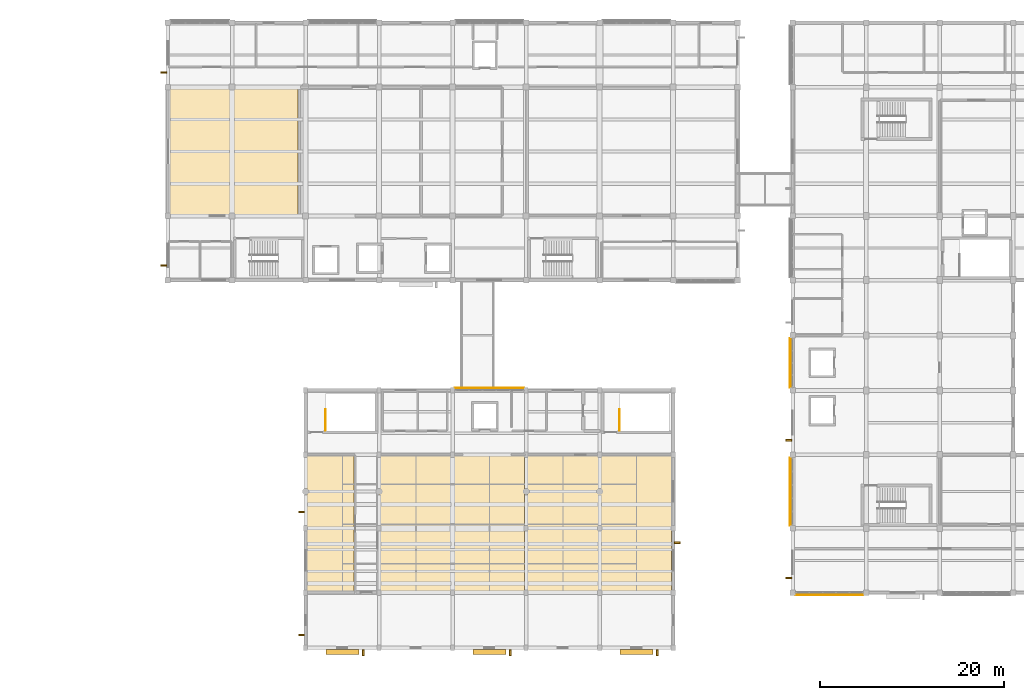
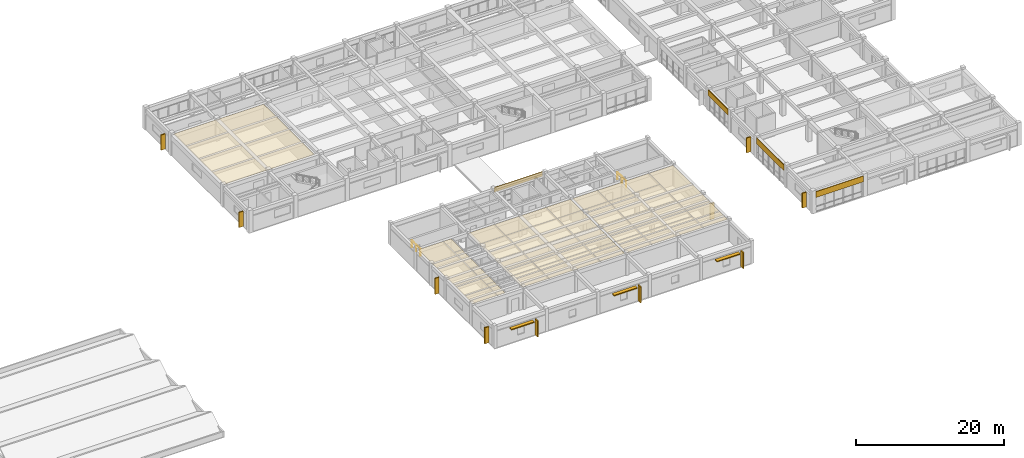
# One storey, part 30 of 33: 13 shading devices, 8 coverings, 2 railings.
"""IFC4 building model written with IfcOpenShell, lengths in metres."""

import ifcopenshell
import ifcopenshell.guid

model = None  # the IFC model being written
_history = None  # IfcOwnerHistory: only IFC2X3 demands one
_inside = {}  # id of a spatial element -> (the spatial element, [elements in it])
_under = {}  # id of a project, library or spatial element -> (it, [spatial elements below it])
_declared = {}  # id of a project -> (the project, [libraries it declares])
_typed = {}  # id of a type object -> (the type object, [elements of that type])
_made_of = {}  # id of a material, layer set ... -> (it, [elements and type objects made of it])


def new_model(schema):
    """Start an empty IFC model of exactly this schema.

    Asked for "IFC4X3", IfcOpenShell would pick the latest addendum, in which some entities
    have other attributes; the version numbers below select the first issue.
    IFC2X3 requires an IfcOwnerHistory on every rooted entity: one is made here for all.
    """
    global model, _history
    if schema == "IFC4X3":
        model = ifcopenshell.file(schema_version=(4, 3, 0, 0))
    else:
        model = ifcopenshell.file(schema=schema)
    _inside.clear()
    _under.clear()
    _declared.clear()
    _typed.clear()
    _made_of.clear()
    _history = None
    if model.schema == "IFC2X3":
        org = make("IfcOrganization", Name="unknown")
        user = make(
            "IfcPersonAndOrganization",
            ThePerson=make("IfcPerson", FamilyName="unknown"),
            TheOrganization=org,
        )
        app = make(
            "IfcApplication",
            ApplicationDeveloper=org,
            Version="unknown",
            ApplicationFullName="unknown",
            ApplicationIdentifier="unknown",
        )
        _history = make(
            "IfcOwnerHistory",
            OwningUser=user,
            OwningApplication=app,
            ChangeAction="ADDED",
            CreationDate=0,
        )
    return model


def make(cls, **values):
    """One entity of the class cls with the attributes given. An attribute that is None is left unset."""
    return model.create_entity(
        cls, **{name: value for name, value in values.items() if value is not None}
    )


def rooted(cls, **values):
    """An entity with a GlobalId (a new one), such as an element, a storey or a relation."""
    return make(cls, GlobalId=ifcopenshell.guid.new(), OwnerHistory=_history, **values)


def si_unit(unit_type, name, prefix=None):
    """IfcSIUnit, for example si_unit("LENGTHUNIT", "METRE", prefix="MILLI")."""
    return make("IfcSIUnit", UnitType=unit_type, Prefix=prefix, Name=name)


def assignment(units):
    """IfcUnitAssignment: the units of a project."""
    return None if units is None else make("IfcUnitAssignment", Units=units)


def point(xyz):
    """IfcCartesianPoint."""
    return None if xyz is None else make("IfcCartesianPoint", Coordinates=xyz)


def direction(xyz):
    """IfcDirection."""
    return None if xyz is None else make("IfcDirection", DirectionRatios=xyz)


def frame(location, z_axis=None, x_axis=None):
    """IfcAxis2Placement3D, a coordinate frame: its origin and axes. An axis left out is left unset."""
    return make(
        "IfcAxis2Placement3D",
        Location=point(location),
        Axis=direction(z_axis),
        RefDirection=direction(x_axis),
    )


def frame_2d(location, x_axis=None):
    """IfcAxis2Placement2D, a coordinate frame in the plane: its origin and x axis."""
    return make(
        "IfcAxis2Placement2D", Location=point(location), RefDirection=direction(x_axis)
    )


def origin():
    """The frame at (0, 0, 0) with its axes left unset."""
    return frame((0.0, 0.0, 0.0))


def origin_2d():
    """The frame at (0, 0) in the plane with its x axis left unset."""
    return frame_2d((0.0, 0.0))


def place(relative_to, where):
    """IfcLocalPlacement: puts the frame where relative to a parent placement (None: the world)."""
    return make(
        "IfcLocalPlacement", PlacementRelTo=relative_to, RelativePlacement=where
    )


def context(
    kind, dimensions, precision=None, world=None, true_north=None, identifier=None
):
    """IfcGeometricRepresentationContext, for example the 3D "Model" context."""
    return make(
        "IfcGeometricRepresentationContext",
        ContextIdentifier=identifier,
        ContextType=kind,
        CoordinateSpaceDimension=dimensions,
        Precision=precision,
        WorldCoordinateSystem=world,
        TrueNorth=true_north,
    )


def subcontext(parent, identifier, kind, view, scale=None):
    """IfcGeometricRepresentationSubContext, for example "Body" below "Model"."""
    return make(
        "IfcGeometricRepresentationSubContext",
        ContextIdentifier=identifier,
        ContextType=kind,
        ParentContext=parent,
        TargetScale=scale,
        TargetView=view,
    )


def project(units=None, contexts=None):
    """IfcProject with its units and contexts."""
    return rooted(
        "IfcProject",
        Name="project",
        RepresentationContexts=contexts,
        UnitsInContext=assignment(units),
    )


def spatial(cls, under=None, at=None, **own):
    """A site, building, storey or space (cls), placed at a placement, below another one or the project."""
    s = rooted(cls, ObjectPlacement=at, **own)
    if under is not None:
        _under.setdefault(under.id(), (under, []))[1].append(s)
    return s


def polyline(points):
    """IfcPolyline through the points."""
    return make("IfcPolyline", Points=[point(p) for p in points])


def profile(cls, at=None, kind="AREA", **sizes):
    """A parametric profile (cls). Its sizes go by their IFC names, for example OverallWidth=200.0."""
    return make(cls, ProfileType=kind, Position=at, **sizes)


def rectangle(**sizes):
    """IfcRectangleProfileDef."""
    return profile("IfcRectangleProfileDef", **sizes)


def circle(**sizes):
    """IfcCircleProfileDef."""
    return profile("IfcCircleProfileDef", **sizes)


def outline(outer, holes=None, kind="AREA"):
    """IfcArbitraryClosedProfileDef: a profile drawn as a closed curve; with holes, ...WithVoids."""
    if holes is None:
        return make("IfcArbitraryClosedProfileDef", ProfileType=kind, OuterCurve=outer)
    return make(
        "IfcArbitraryProfileDefWithVoids",
        ProfileType=kind,
        OuterCurve=outer,
        InnerCurves=holes,
    )


def extrude(swept, where, along, depth):
    """IfcExtrudedAreaSolid: the profile swept, set in the frame where, extruded along a direction by depth."""
    return make(
        "IfcExtrudedAreaSolid",
        SweptArea=swept,
        Position=where,
        ExtrudedDirection=direction(along),
        Depth=depth,
    )


def shape(context_of_items, identifier, shape_type, items):
    """IfcShapeRepresentation: the items that make up one representation, for example the "Body"."""
    return make(
        "IfcShapeRepresentation",
        ContextOfItems=context_of_items,
        RepresentationIdentifier=identifier,
        RepresentationType=shape_type,
        Items=items,
    )


def material(Name=None, Category=None):
    """IfcMaterial."""
    return make("IfcMaterial", Name=Name, Category=Category)


def layer(
    of_material, thickness, ventilated=None, Name=None, Category=None, Priority=None
):
    """IfcMaterialLayer: one layer of a wall or slab, of a material (None: an air gap)."""
    return make(
        "IfcMaterialLayer",
        Material=of_material,
        LayerThickness=thickness,
        IsVentilated=ventilated,
        Name=Name,
        Category=Category,
        Priority=Priority,
    )


def layer_set(layers, Name=None):
    """IfcMaterialLayerSet."""
    return make("IfcMaterialLayerSet", MaterialLayers=layers, LayerSetName=Name)


def made_of(thing, what):
    """Note that an element or type object is made of a material, layer set ...; save() writes the relation."""
    if what is not None:
        _made_of.setdefault(what.id(), (what, []))[1].append(thing)
    return thing


def type_object(cls, material=None, **own):
    """A type object (cls), such as IfcWallType, which elements share."""
    return made_of(rooted(cls, **own), material)


def element(
    cls,
    number,
    at=None,
    inside=None,
    cuts=None,
    type_object=None,
    material=None,
    context=None,
    identifier="Body",
    shape_type=None,
    held_by="IfcProductDefinitionShape",
    body=None,
    shapes=None,
    **own,
):
    """One element of the class cls, such as IfcWall. Its Tag is "e" and its number.

    at: its placement. inside: the storey or other place that contains it. cuts: it is an
    opening in that element (IfcRelVoidsElement). A single representation is given by context,
    identifier, shape_type and body (its items); several are given by shapes. held_by: the class
    of the entity that holds the representations. save() writes the other relations.
    """
    e = rooted(cls, Tag="e%d" % number, ObjectPlacement=at, **own)
    if body is not None:
        shapes = [shape(context, identifier, shape_type, body)]
    if shapes is not None:
        e.Representation = make(held_by, Representations=shapes)
    if inside is not None:
        _inside.setdefault(inside.id(), (inside, []))[1].append(e)
    if cuts is not None:
        rooted(
            "IfcRelVoidsElement", RelatingBuildingElement=cuts, RelatedOpeningElement=e
        )
    if type_object is not None:
        _typed.setdefault(type_object.id(), (type_object, []))[1].append(e)
    return made_of(e, material)


def aggregate(whole, parts):
    """IfcRelAggregates: a whole, such as a stair, and the parts it consists of."""
    return rooted("IfcRelAggregates", RelatingObject=whole, RelatedObjects=parts)


def save(model, path):
    """Write the relations noted so far, then the file.

    IfcRelAggregates (storeys below a building ...), IfcRelContainedInSpatialStructure (elements
    in a storey), IfcRelDefinesByType, IfcRelAssociatesMaterial and IfcRelDeclares: one each for
    every whole, place, type object, material and project.
    """
    for whole, parts in _under.values():
        aggregate(whole, parts)
    for where, things in _inside.values():
        rooted(
            "IfcRelContainedInSpatialStructure",
            RelatedElements=things,
            RelatingStructure=where,
        )
    for kind, things in _typed.values():
        rooted("IfcRelDefinesByType", RelatedObjects=things, RelatingType=kind)
    for what, things in _made_of.values():
        rooted("IfcRelAssociatesMaterial", RelatedObjects=things, RelatingMaterial=what)
    for by, libraries in _declared.values():
        rooted("IfcRelDeclares", RelatingContext=by, RelatedDefinitions=libraries)
    model.write(path)


model = new_model("IFC4")

# Units and contexts
model_context = context("Model", 3, precision=1e-05, world=origin(), true_north=direction((0.0, 1.0)))
body_context = subcontext(model_context, "Body", "Model", "MODEL_VIEW")
ifc_project = project(units=[si_unit("LENGTHUNIT", "METRE"), si_unit("AREAUNIT", "SQUARE_METRE"), si_unit("VOLUMEUNIT", "CUBIC_METRE"), si_unit("PLANEANGLEUNIT", "RADIAN"), si_unit("MASSUNIT", "GRAM", prefix="KILO")], contexts=[model_context])

# Site, building, storey
site_placement = place(None, origin())
site = spatial("IfcSite", under=ifc_project, at=site_placement, CompositionType="ELEMENT")
building_placement = place(site_placement, origin())
building = spatial("IfcBuilding", under=site, at=building_placement, Name="Naurynzar Civic Courthouse", CompositionType="ELEMENT")
storey_placement = place(building_placement, frame((0.0, 0.0, 22.050048828125)))
storey = spatial("IfcBuildingStorey", under=building, at=storey_placement, Name="L06", CompositionType="ELEMENT", Elevation=22.050048828125)

# Coverings
ifc_material_1 = material(Name="Acoustic Oak Timber Grade A", Category="wood")
ifc_layer_1 = layer(ifc_material_1, 0.044921875)
ifc_layer_set_1 = layer_set([ifc_layer_1], Name="CEIL-ACOUSTIC-OAK-45")
covering_type_1 = type_object("IfcCoveringType", Name="CEIL-ACOUSTIC-OAK-45", PredefinedType="CEILING", material=ifc_layer_set_1)
covering_1_placement = place(storey_placement, frame((0.0, 0.0, 3.364990234375)))
element("IfcCovering", 1, at=covering_1_placement, inside=storey, type_object=covering_type_1, Name="Acoustic suspended ceiling Tax and Customs Courtroom 6A", PredefinedType="CEILING", context=body_context, shape_type="SweptSolid", body=[
    extrude(outline(polyline([(76.178955078125, 51.159912109375), (62.159912109375, 51.159912109375), (62.159912109375, 64.840087890625), (76.178955078125, 64.840087890625), (76.178955078125, 51.159912109375)])), origin(), (0.0, 0.0, 1.0), 0.044921875),
])
ifc_material_2 = material(Name="Mineral Fibre Acoustic Ceiling")
ifc_layer_2 = layer(ifc_material_2, 0.030029296875)
ifc_layer_set_2 = layer_set([ifc_layer_2], Name="CEIL-MINERAL-30")
covering_type_2 = type_object("IfcCoveringType", Name="CEIL-MINERAL-30", PredefinedType="CEILING", material=ifc_layer_set_2)
covering_2_placement = place(storey_placement, frame((0.0, 0.0, 3.3349609375)))
element("IfcCovering", 2, at=covering_2_placement, inside=storey, type_object=covering_type_2, Name="Acoustic suspended ceiling Law Library Reading Room West L06", PredefinedType="CEILING", context=body_context, shape_type="SweptSolid", body=[
    extrude(outline(polyline([(82.239990234375, 10.159912109375), (77.159912109375, 10.159912109375), (77.159912109375, 24.840087890625), (82.239990234375, 24.840087890625), (82.239990234375, 10.159912109375)])), origin(), (0.0, 0.0, 1.0), 0.030029296875),
])
covering_3_placement = place(storey_placement, frame((0.0, 0.0, 3.3349609375)))
element("IfcCovering", 3, at=covering_3_placement, inside=storey, type_object=covering_type_2, Name="Acoustic suspended ceiling Law Library Reading Room L06", PredefinedType="CEILING", context=body_context, shape_type="SweptSolid", body=[
    extrude(outline(polyline([(100.840087890625, 10.159912109375), (84.9599609375, 10.159912109375), (84.9599609375, 24.840087890625), (100.840087890625, 24.840087890625), (100.840087890625, 10.159912109375)])), origin(), (0.0, 0.0, 1.0), 0.030029296875),
])
covering_4_placement = place(storey_placement, frame((0.0, 0.0, 3.3349609375)))
element("IfcCovering", 4, at=covering_4_placement, inside=storey, type_object=covering_type_2, Name="Acoustic suspended ceiling Legal Scholars Seminar Room L06", PredefinedType="CEILING", context=body_context, shape_type="SweptSolid", body=[
    extrude(outline(polyline([(116.840087890625, 10.159912109375), (101.159912109375, 10.159912109375), (101.159912109375, 24.840087890625), (116.840087890625, 24.840087890625), (116.840087890625, 10.159912109375)])), origin(), (0.0, 0.0, 1.0), 0.030029296875),
])
ifc_material_3 = material(Name="Precast concrete C40/50", Category="concrete")
ifc_layer_3 = layer(ifc_material_3, 0.080078125)
ifc_layer_set_3 = layer_set([ifc_layer_3], Name="COV-CLAD-PRECAST-80")
covering_type_3 = type_object("IfcCoveringType", Name="COV-CLAD-PRECAST-80", PredefinedType="CLADDING", material=ifc_layer_set_3)
covering_5_placement = place(storey_placement, frame((97.0, 32.2548828125, 2.7099609375), z_axis=(0.0, 0.0, 1.0), x_axis=(1.0, 0.0, 0.0)))
element("IfcCovering", 5, at=covering_5_placement, inside=storey, type_object=covering_type_3, Name="V3 precast spandrel cladding 73", PredefinedType="CLADDING", context=body_context, shape_type="SweptSolid", body=[
    extrude(rectangle(XDim=7.550048828125, YDim=0.080078125, at=origin_2d()), origin(), (0.0, 0.0, 1.0), 0.760009765625),
])
covering_6_placement = place(storey_placement, frame((129.7451171875, 21.0, 2.510009765625), z_axis=(0.0, 0.0, 1.0), x_axis=(0.0, 1.0, 0.0)))
element("IfcCovering", 6, at=covering_6_placement, inside=storey, type_object=covering_type_3, Name="V5 precast spandrel cladding 106", PredefinedType="CLADDING", context=body_context, shape_type="SweptSolid", body=[
    extrude(rectangle(XDim=7.39990234375, YDim=0.080078125, at=origin_2d()), origin(), (0.0, 0.0, 1.0), 0.9599609375),
])
covering_7_placement = place(storey_placement, frame((129.7451171875, 35.0, 2.510009765625), z_axis=(0.0, 0.0, 1.0), x_axis=(0.0, 1.0, 0.0)))
element("IfcCovering", 7, at=covering_7_placement, inside=storey, type_object=covering_type_3, Name="V5 precast spandrel cladding 107", PredefinedType="CLADDING", context=body_context, shape_type="SweptSolid", body=[
    extrude(rectangle(XDim=5.39990234375, YDim=0.080078125, at=origin_2d()), origin(), (0.0, 0.0, 1.0), 0.9599609375),
])
covering_8_placement = place(storey_placement, frame((134.0, 9.7451171875, 2.510009765625), z_axis=(0.0, 0.0, 1.0), x_axis=(-1.0, 0.0, 0.0)))
element("IfcCovering", 8, at=covering_8_placement, inside=storey, type_object=covering_type_3, Name="V5 precast spandrel cladding 111", PredefinedType="CLADDING", context=body_context, shape_type="SweptSolid", body=[
    extrude(rectangle(XDim=7.39990234375, YDim=0.080078125, at=origin_2d()), origin(), (0.0, 0.0, 1.0), 0.9599609375),
])

# Railings
ifc_material_4 = material(Name="Brushed Stainless Steel 304", Category="steel")
railing_type = type_object("IfcRailingType", Name="RAIL-BAL-1100", PredefinedType="BALUSTRADE", material=ifc_material_4)
for number, where, name in (
    (9, (79.139892578125, 27.64990234375, 0.0), "Stair ST-V3A top floor well guard L06"),
    (10, (111.139892578125, 27.64990234375, 0.0), "Stair ST-V3B top floor well guard L06"),
):
    element("IfcRailing", number, at=place(storey_placement, frame(where)), inside=storey, type_object=railing_type, Name=name, PredefinedType="BALUSTRADE", context=body_context, shape_type="SweptSolid", body=[
        extrude(circle(Radius=0.02392578125, at=origin_2d()), frame((0.0, 0.0, 1.09619140625), z_axis=(0.0, 1.0, 0.0), x_axis=(-1.0, 0.0, 0.0)), (0.0, 0.0, 1.0), 2.31005859375),
        extrude(circle(Radius=0.02099609375, at=origin_2d()), origin(), (0.0, 0.0, 1.0), 1.072021484375),
        extrude(circle(Radius=0.02099609375, at=origin_2d()), frame((0.0, 1.155029296875, 0.0)), (0.0, 0.0, 1.0), 1.072021484375),
        extrude(circle(Radius=0.02099609375, at=origin_2d()), frame((0.0, 2.31005859375, 0.0)), (0.0, 0.0, 1.0), 1.072021484375),
    ])

# Shading devices
ifc_material_5 = material(Name="Precast concrete C40/50", Category="concrete")
shading_device_type_1 = type_object("IfcShadingDeviceType", Name="SHD-FIN-V650", PredefinedType="JALOUSIE", material=ifc_material_5)
for number, where, z_axis, x_axis, name in (
    (11, (61.5400390625, 45.58740234375, 0.0400390625), (0.0, 0.0, 1.0), (0.0, 1.0, 0.0), "V2 vertical brise-soleil fin 29"),
    (12, (61.5400390625, 66.58740234375, 0.0400390625), (0.0, 0.0, 1.0), (0.0, 1.0, 0.0), "V2 vertical brise-soleil fin 30"),
):
    element("IfcShadingDevice", number, at=place(storey_placement, frame(where, z_axis=z_axis, x_axis=x_axis)), inside=storey, type_object=shading_device_type_1, Name=name, PredefinedType="JALOUSIE", context=body_context, shape_type="SweptSolid", body=[
        extrude(rectangle(XDim=0.179931640625, YDim=0.64990234375, at=origin_2d()), origin(), (0.0, 0.0, 1.0), 2.47998046875),
    ])
for number, where, z_axis, x_axis, name in (
    (13, (76.550048828125, 5.3798828125, 0.0400390625), (0.0, 0.0, 1.0), (0.0, 1.0, 0.0), "V3 vertical brise-soleil fin 58"),
    (14, (76.550048828125, 18.780029296875, 0.0400390625), (0.0, 0.0, 1.0), (0.0, 1.0, 0.0), "V3 vertical brise-soleil fin 59"),
    (15, (117.449951171875, 15.419921875, 0.0400390625), (0.0, 0.0, 1.0), (0.0, -1.0, 0.0), "V3 vertical brise-soleil fin 60"),
    (16, (115.264892578125, 3.469970703125, 0.0400390625), (0.0, 0.0, 1.0), (-1.0, 0.0, 0.0), "V3 vertical brise-soleil fin 61"),
    (17, (99.264892578125, 3.469970703125, 0.0400390625), (0.0, 0.0, 1.0), (-1.0, 0.0, 0.0), "V3 vertical brise-soleil fin 62"),
    (18, (83.264892578125, 3.469970703125, 0.0400390625), (0.0, 0.0, 1.0), (-1.0, 0.0, 0.0), "V3 vertical brise-soleil fin 63"),
):
    element("IfcShadingDevice", number, at=place(storey_placement, frame(where, z_axis=z_axis, x_axis=x_axis)), inside=storey, type_object=shading_device_type_1, Name=name, PredefinedType="JALOUSIE", context=body_context, shape_type="SweptSolid", body=[
        extrude(rectangle(XDim=0.179931640625, YDim=0.64990234375, at=origin_2d()), origin(), (0.0, 0.0, 1.0), 2.6298828125),
    ])
for number, where, z_axis, x_axis, name in (
    (19, (129.550048828125, 11.580078125, 0.0400390625), (0.0, 0.0, 1.0), (0.0, 1.0, 0.0), "V5 vertical brise-soleil fin 90"),
    (20, (129.550048828125, 26.580078125, 0.0400390625), (0.0, 0.0, 1.0), (0.0, 1.0, 0.0), "V5 vertical brise-soleil fin 91"),
):
    element("IfcShadingDevice", number, at=place(storey_placement, frame(where, z_axis=z_axis, x_axis=x_axis)), inside=storey, type_object=shading_device_type_1, Name=name, PredefinedType="JALOUSIE", context=body_context, shape_type="SweptSolid", body=[
        extrude(rectangle(XDim=0.179931640625, YDim=0.64990234375, at=origin_2d()), origin(), (0.0, 0.0, 1.0), 2.429931640625),
    ])
ifc_material_6 = material(Name="Precast concrete C40/50", Category="concrete")
shading_device_type_2 = type_object("IfcShadingDeviceType", Name="SHD-LOUV-H550", PredefinedType="SHUTTER", material=ifc_material_6)
for number, where, z_axis, x_axis, name in (
    (21, (113.0, 3.52001953125, 2.47021484375), (0.0, 0.0, 1.0), (-1.0, 0.0, 0.0), "V3 horizontal solar sun-breaker 61"),
    (22, (97.0, 3.52001953125, 2.47021484375), (0.0, 0.0, 1.0), (-1.0, 0.0, 0.0), "V3 horizontal solar sun-breaker 62"),
    (23, (81.0, 3.52001953125, 2.47021484375), (0.0, 0.0, 1.0), (-1.0, 0.0, 0.0), "V3 horizontal solar sun-breaker 63"),
):
    element("IfcShadingDevice", number, at=place(storey_placement, frame(where, z_axis=z_axis, x_axis=x_axis)), inside=storey, type_object=shading_device_type_2, Name=name, PredefinedType="SHUTTER", context=body_context, shape_type="SweptSolid", body=[
        extrude(rectangle(XDim=3.60009765625, YDim=0.550048828125, at=origin_2d()), origin(), (0.0, 0.0, 1.0), 0.159912109375),
    ])

save(model, "model.ifc")
